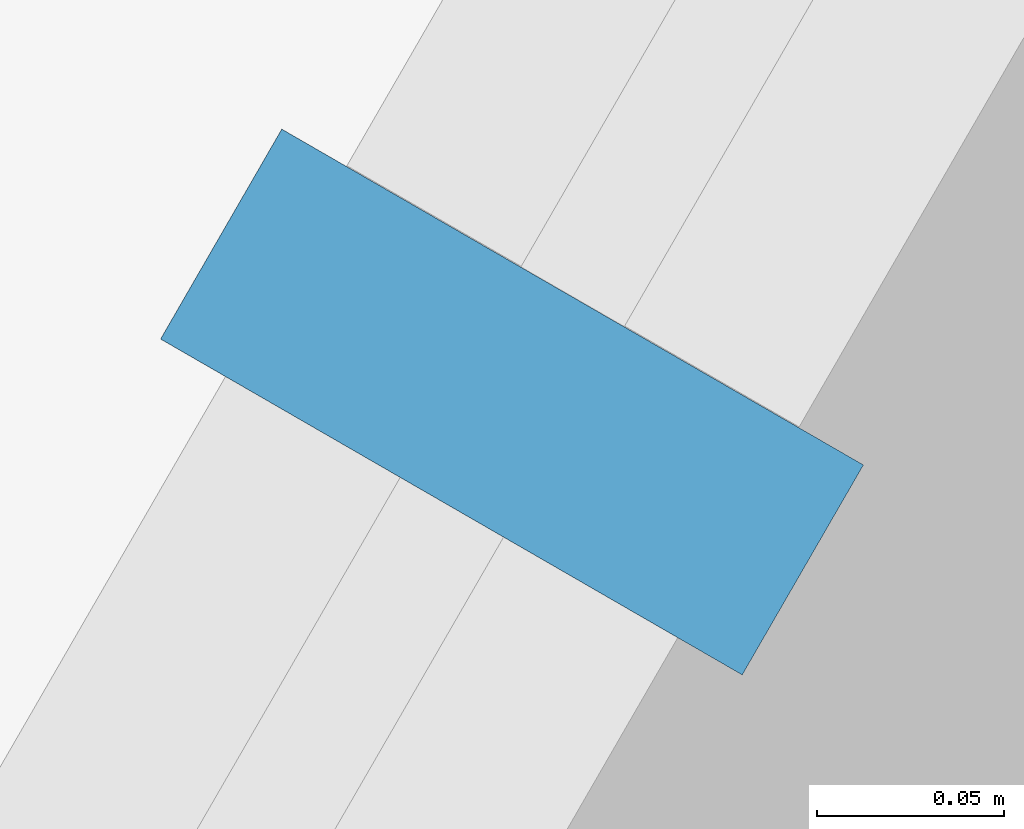
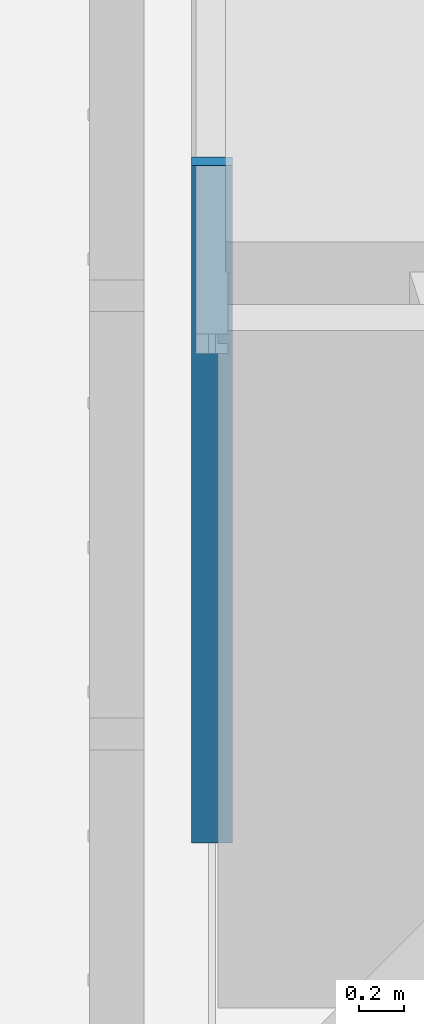
# One storey, part 130 of 238: 1 member, 1 element without a shape of its own.
"""IFC4 building model written with IfcOpenShell, lengths in metres."""

from ifc_helpers import new_model, si_unit, direction, frame, origin, origin_2d, place, context, subcontext, project, spatial, rectangle, extrude, material, material_profile, profile_set, type_object, element, aggregate, save


model = new_model("IFC4")

# Units and contexts
model_context = context("Model", 3, precision=1e-05, world=origin(), true_north=direction((0.0, 1.0)))
body_context = subcontext(model_context, "Body", "Model", "MODEL_VIEW")
ifc_project = project(units=[si_unit("LENGTHUNIT", "METRE"), si_unit("AREAUNIT", "SQUARE_METRE"), si_unit("VOLUMEUNIT", "CUBIC_METRE"), si_unit("PLANEANGLEUNIT", "RADIAN"), si_unit("MASSUNIT", "GRAM", prefix="KILO")], contexts=[model_context])

# Site, building, storey
site_placement = place(None, origin())
site = spatial("IfcSite", under=ifc_project, at=site_placement, CompositionType="ELEMENT")
building_placement = place(site_placement, origin())
building = spatial("IfcBuilding", under=site, at=building_placement, Name="Sandreach Pilgrim Tower", CompositionType="ELEMENT")
storey_placement = place(building_placement, frame((0.0, 0.0, 96.800048828125)))
storey = spatial("IfcBuildingStorey", under=building, at=storey_placement, Name="L23", CompositionType="ELEMENT", Elevation=96.800048828125)

# Curtain wall, member
ifc_material_1 = material(Name="Aluminium framed curtain wall", Category="aluminium")
curtain_wall_type = type_object("IfcCurtainWallType", Name="Hotel tower curtain wall", PredefinedType="NOTDEFINED", material=ifc_material_1)
curtain_wall_placement = place(storey_placement, origin())
curtain_wall = element("IfcCurtainWall", 1, at=curtain_wall_placement, inside=storey, type_object=curtain_wall_type, Name="CW-2 L23 NW", PredefinedType="NOTDEFINED")
ifc_material_2 = material(Name="Aluminium extrusion", Category="aluminium")
ifc_material_profile = material_profile(ifc_material_2, rectangle(XDim=0.06494140625, YDim=0.179931640625, at=origin_2d()), Name="CW-2M 65X180")
ifc_profile_set = profile_set([ifc_material_profile], Name="Aluminium extrusion")
member_type = type_object("IfcMemberType", Name="CW-2 mullion", PredefinedType="MULLION", material=ifc_profile_set)
member_placement = place(storey_placement, frame((-26.568115234375, 10.3671875, 0.0), z_axis=(0.0, 0.0, 1.0), x_axis=(0.5, 0.866025403784, 0.0)))
member = element("IfcMember", 2, at=member_placement, type_object=member_type, Name="CW-2 mullion 2", PredefinedType="MULLION", context=body_context, shape_type="SweptSolid", body=[
    extrude(rectangle(XDim=0.06494140625, YDim=0.179931640625, at=origin_2d()), origin(), (0.0, 0.0, 1.0), 3.639892578125),
])
aggregate(curtain_wall, [member])

save(model, "model.ifc")
